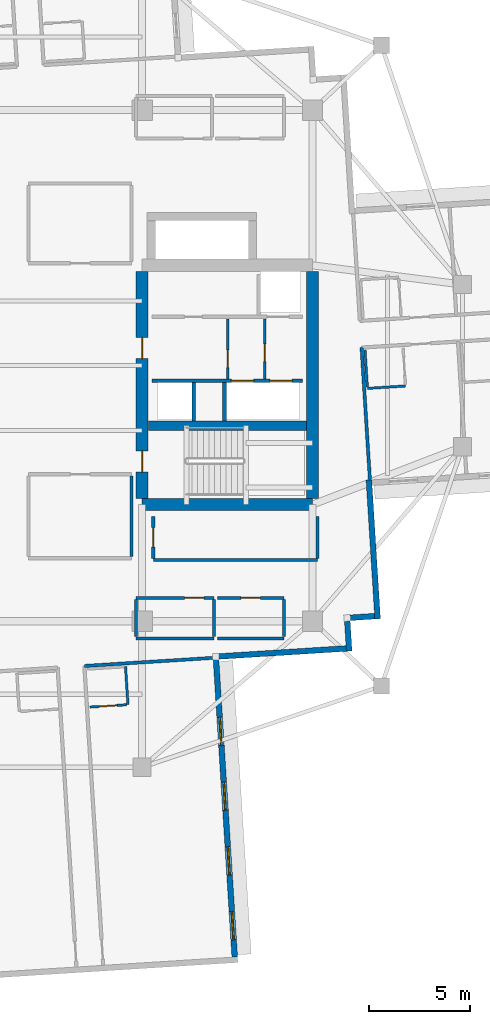
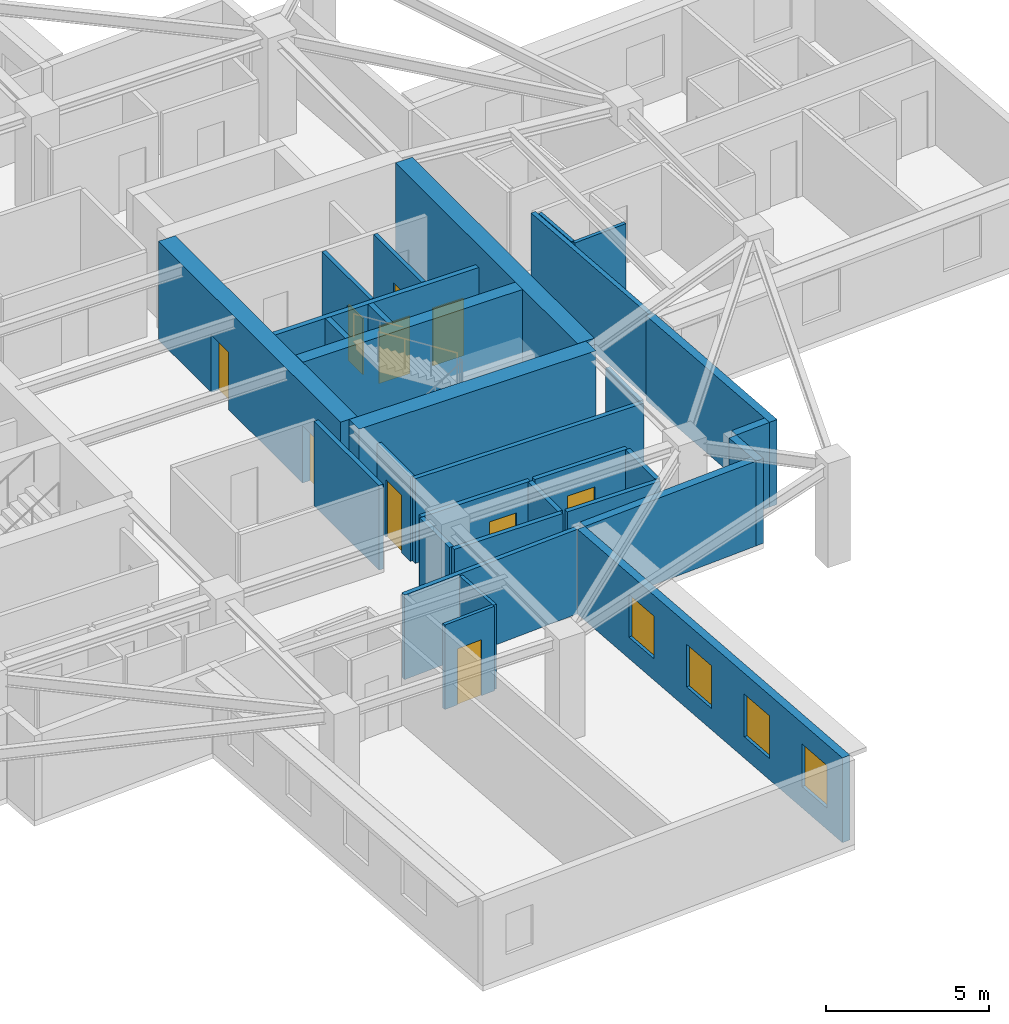
# One storey, part 5 of 13: 31 walls, 10 doors, 4 windows, 14 openings.
"""IFC4 building model written with IfcOpenShell, lengths in metres."""

from ifc_helpers import new_model, si_unit, direction, frame, frame_2d, origin, place, context, subcontext, project, spatial, rectangle, extrude, material, layer, layer_set, type_object, element, fill, save


model = new_model("IFC4")

# Units and contexts
model_context = context("Model", 3, precision=1e-05, world=origin(), true_north=direction((0.0, 1.0)))
body_context = subcontext(model_context, "Body", "Model", "MODEL_VIEW")
ifc_project = project(units=[si_unit("LENGTHUNIT", "METRE"), si_unit("AREAUNIT", "SQUARE_METRE"), si_unit("VOLUMEUNIT", "CUBIC_METRE"), si_unit("PLANEANGLEUNIT", "RADIAN"), si_unit("MASSUNIT", "GRAM", prefix="KILO")], contexts=[model_context])

# Site, building, storey
site_placement = place(None, origin())
site = spatial("IfcSite", under=ifc_project, at=site_placement, CompositionType="ELEMENT")
building_placement = place(site_placement, origin())
building = spatial("IfcBuilding", under=site, at=building_placement, Name="Qingluan Cross Belvedere", CompositionType="ELEMENT")
storey_placement = place(building_placement, frame((0.0, 0.0, 201.300048828125)))
storey = spatial("IfcBuildingStorey", under=building, at=storey_placement, Name="L50", CompositionType="ELEMENT", Elevation=201.300048828125)

# Walls
ifc_material_1 = material(Name="Concrete C50", Category="concrete")
ifc_layer_1 = layer(ifc_material_1, 0.449951171875, Name="CoreShearWall_450")
ifc_layer_set_1 = layer_set([ifc_layer_1], Name="Concrete C50")
wall_type_1 = type_object("IfcWallType", Name="CoreShearWall_450", PredefinedType="SHEAR", material=ifc_layer_set_1)
wall_1_placement = place(storey_placement, frame((4.304931640625, -2.9599609375, 0.0), z_axis=(0.0, 0.0, 1.0), x_axis=(1.0, 0.0, 0.0)))
element("IfcWall", 1, at=wall_1_placement, inside=storey, type_object=wall_type_1, Name="Split core E shear wall L50-M", PredefinedType="SHEAR", context=body_context, shape_type="SweptSolid", body=[
    extrude(rectangle(XDim=7.7900390625, YDim=0.449951171875, at=frame_2d((3.89501953125, 0.0))), origin(), (0.0, 0.0, 1.0), 3.699951171875),
])
ifc_material_2 = material(Name="Concrete C60", Category="concrete")
ifc_layer_2 = layer(ifc_material_2, 0.60009765625, Name="CoreShearWall_600")
ifc_layer_set_2 = layer_set([ifc_layer_2], Name="Concrete C60")
wall_type_2 = type_object("IfcWallType", Name="CoreShearWall_600", PredefinedType="SHEAR", material=ifc_layer_set_2)
wall_2_placement = place(storey_placement, frame((4.0, -6.85009765625, 0.0), z_axis=(0.0, 0.0, 1.0), x_axis=(1.0, 0.0, 0.0)))
element("IfcWall", 2, at=wall_2_placement, inside=storey, type_object=wall_type_2, Name="Split core E shear wall L50-S", PredefinedType="SHEAR", context=body_context, shape_type="SweptSolid", body=[
    extrude(rectangle(XDim=8.39990234375, YDim=0.60009765625, at=frame_2d((4.199951171875, 0.0))), origin(), (0.0, 0.0, 1.0), 3.699951171875),
])

# Wall, openings, doors
wall_3_placement = place(storey_placement, frame((4.0, -6.544921875, 0.0), z_axis=(0.0, 0.0, 1.0), x_axis=(0.0, 1.0, 0.0)))
wall_3 = element("IfcWall", 3, at=wall_3_placement, inside=storey, type_object=wall_type_2, Name="Split core E shear wall L50-W", PredefinedType="SHEAR", context=body_context, shape_type="SweptSolid", body=[
    extrude(rectangle(XDim=11.18994140625, YDim=0.60009765625, at=frame_2d((5.594970703125, 0.0))), origin(), (0.0, 0.0, 1.0), 3.699951171875),
])
opening_1_placement = place(wall_3_placement, frame((1.294921875, 0.0, 0.0)))
opening_1 = element("IfcOpeningElement", 4, at=opening_1_placement, cuts=wall_3, Name="Opening FD-B11", PredefinedType="OPENING", context=body_context, shape_type="SweptSolid", body=[
    extrude(rectangle(XDim=1.050048828125, YDim=2.14990234375, at=frame_2d((0.52490234375, 1.074951171875))), frame((0.0, 0.31005859375, 0.0), z_axis=(0.0, -1.0, 0.0), x_axis=(1.0, 0.0, 0.0)), (0.0, 0.0, 1.0), 0.6201171875),
])
opening_2_placement = place(wall_3_placement, frame((6.89501953125, 0.0, 0.0)))
opening_2 = element("IfcOpeningElement", 5, at=opening_2_placement, cuts=wall_3, Name="Opening FD-B11", PredefinedType="OPENING", context=body_context, shape_type="SweptSolid", body=[
    extrude(rectangle(XDim=1.050048828125, YDim=2.14990234375, at=frame_2d((0.52490234375, 1.074951171875))), frame((0.0, 0.31005859375, 0.0), z_axis=(0.0, -1.0, 0.0), x_axis=(1.0, 0.0, 0.0)), (0.0, 0.0, 1.0), 0.6201171875),
])
ifc_material_3 = material(Name="Steel Class B smoke-seal fire door", Category="steel")
door_type_1 = type_object("IfcDoorType", Name="StairLobbyFireDoor_FDB", OperationType="NOTDEFINED", PredefinedType="DOOR", material=ifc_material_3)
door_1_placement = place(opening_1_placement, origin())
door_1 = element("IfcDoor", 6, at=door_1_placement, inside=storey, type_object=door_type_1, Name="Smoke-proof stair ST2 fire door L50", OperationType="SINGLE_SWING_LEFT", OverallHeight=2.14990234375, OverallWidth=1.050048828125, PredefinedType="DOOR", context=body_context, shape_type="SweptSolid", body=[
    extrude(rectangle(XDim=1.050048828125, YDim=2.14990234375, at=frame_2d((0.52490234375, 1.074951171875))), frame((0.0, 0.02490234375, 0.0), z_axis=(0.0, -1.0, 0.0), x_axis=(1.0, 0.0, 0.0)), (0.0, 0.0, 1.0), 0.050048828125),
])
fill(opening_1, door_1)
door_2_placement = place(opening_2_placement, origin())
door_2 = element("IfcDoor", 7, at=door_2_placement, inside=storey, type_object=door_type_1, Name="Firefighting lobby East fire door L50", OperationType="SINGLE_SWING_LEFT", OverallHeight=2.14990234375, OverallWidth=1.050048828125, PredefinedType="DOOR", context=body_context, shape_type="SweptSolid", body=[
    extrude(rectangle(XDim=1.050048828125, YDim=2.14990234375, at=frame_2d((0.52490234375, 1.074951171875))), frame((0.0, 0.02490234375, 0.0), z_axis=(0.0, -1.0, 0.0), x_axis=(1.0, 0.0, 0.0)), (0.0, 0.0, 1.0), 0.050048828125),
])
fill(opening_2, door_2)

# Wall
wall_4_placement = place(storey_placement, frame((12.39990234375, -6.544921875, 0.0), z_axis=(0.0, 0.0, 1.0), x_axis=(0.0, 1.0, 0.0)))
element("IfcWall", 8, at=wall_4_placement, inside=storey, type_object=wall_type_2, Name="Split core E shear wall L50-E", PredefinedType="SHEAR", context=body_context, shape_type="SweptSolid", body=[
    extrude(rectangle(XDim=11.18994140625, YDim=0.60009765625, at=frame_2d((5.594970703125, 0.0))), origin(), (0.0, 0.0, 1.0), 3.699951171875),
])

# Wall, opening, door
ifc_material_4 = material(Name="Gypsum plasterboard on steel stud acoustic partition", Category="steel")
ifc_layer_3 = layer(ifc_material_4, 0.159912109375, Name="CorridorPartition_160")
ifc_layer_set_3 = layer_set([ifc_layer_3], Name="Gypsum plasterboard on steel stud acoustic partition")
wall_type_3 = type_object("IfcWallType", Name="CorridorPartition_160", PredefinedType="PARTITIONING", material=ifc_layer_set_3)
wall_5_placement = place(storey_placement, frame((10.050048828125, -0.652099609375, 0.0), z_axis=(0.0, 0.0, 1.0), x_axis=(0.0, 1.0, 0.0)))
wall_5 = element("IfcWall", 9, at=wall_5_placement, inside=storey, type_object=wall_type_3, Name="Partition L50:ev", PredefinedType="PARTITIONING", context=body_context, shape_type="SweptSolid", body=[
    extrude(rectangle(XDim=2.962158203125, YDim=0.139892578125, at=frame_2d((1.48095703125, 0.0))), origin(), (0.0, 0.0, 1.0), 3.169921875),
])
opening_3_placement = place(wall_5_placement, frame((0.85009765625, 0.0, 0.0)))
opening_3 = element("IfcOpeningElement", 10, at=opening_3_placement, cuts=wall_5, Name="Opening FD-B10", PredefinedType="OPENING", context=body_context, shape_type="SweptSolid", body=[
    extrude(rectangle(XDim=0.8798828125, YDim=2.10009765625, at=frame_2d((0.43994140625, 1.050048828125))), frame((0.0, 0.079833984375, 0.0), z_axis=(0.0, -1.0, 0.0), x_axis=(1.0, 0.0, 0.0)), (0.0, 0.0, 1.0), 0.159912109375),
])
ifc_material_5 = material(Name="Steel Class B service fire door", Category="steel")
door_type_2 = type_object("IfcDoorType", Name="RiserServiceFireDoor_FDB", OperationType="NOTDEFINED", PredefinedType="DOOR", material=ifc_material_5)
door_3_placement = place(opening_3_placement, origin())
door_3 = element("IfcDoor", 11, at=door_3_placement, inside=storey, type_object=door_type_2, Name="Service closet inner door L50", OperationType="SINGLE_SWING_RIGHT", OverallHeight=2.10009765625, OverallWidth=0.8798828125, PredefinedType="DOOR", context=body_context, shape_type="SweptSolid", body=[
    extrude(rectangle(XDim=0.8798828125, YDim=2.10009765625, at=frame_2d((0.43994140625, 1.050048828125))), frame((0.0, 0.02490234375, 0.0), z_axis=(0.0, -1.0, 0.0), x_axis=(1.0, 0.0, 0.0)), (0.0, 0.0, 1.0), 0.050048828125),
])
fill(opening_3, door_3)

# Wall
wall_6_placement = place(storey_placement, frame((3.699951171875, -13.449951171875, 0.0), z_axis=(0.0, 0.0, 1.0), x_axis=(1.0, 0.0, 0.0)))
element("IfcWall", 12, at=wall_6_placement, inside=storey, type_object=wall_type_3, Name="Partition L50:q_se1:S", PredefinedType="PARTITIONING", context=body_context, shape_type="SweptSolid", body=[
    extrude(rectangle(XDim=3.85009765625, YDim=0.159912109375, at=frame_2d((1.925048828125, 0.0))), origin(), (0.0, 0.0, 1.0), 3.169921875),
])

# Wall, opening, door
wall_7_placement = place(storey_placement, frame((3.699951171875, -11.449951171875, 0.0), z_axis=(0.0, 0.0, 1.0), x_axis=(1.0, 0.0, 0.0)))
wall_7 = element("IfcWall", 13, at=wall_7_placement, inside=storey, type_object=wall_type_3, Name="Partition L50:q_se1:N", PredefinedType="PARTITIONING", context=body_context, shape_type="SweptSolid", body=[
    extrude(rectangle(XDim=3.85009765625, YDim=0.159912109375, at=frame_2d((1.925048828125, 0.0))), origin(), (0.0, 0.0, 1.0), 3.169921875),
])
opening_4_placement = place(wall_7_placement, frame((2.39501953125, 0.0, 0.0)))
opening_4 = element("IfcOpeningElement", 14, at=opening_4_placement, cuts=wall_7, Name="Opening GD-10", PredefinedType="OPENING", context=body_context, shape_type="SweptSolid", body=[
    extrude(rectangle(XDim=0.9599609375, YDim=2.14990234375, at=frame_2d((0.47998046875, 1.074951171875))), frame((0.0, 0.08984375, 0.0), z_axis=(0.0, -1.0, 0.0), x_axis=(1.0, 0.0, 0.0)), (0.0, 0.0, 1.0), 0.179931640625),
])
ifc_material_6 = material(Name="Timber oak fire-rated acoustic guestroom door", Category="wood")
door_type_3 = type_object("IfcDoorType", Name="GuestEntryDoor_FD60", OperationType="NOTDEFINED", PredefinedType="DOOR", material=ifc_material_6)
door_4_placement = place(opening_4_placement, origin())
door_4 = element("IfcDoor", 15, at=door_4_placement, inside=storey, type_object=door_type_3, Name="Champagne pantry L50 door", OperationType="SINGLE_SWING_RIGHT", OverallHeight=2.14990234375, OverallWidth=0.9599609375, PredefinedType="DOOR", context=body_context, shape_type="SweptSolid", body=[
    extrude(rectangle(XDim=0.9599609375, YDim=2.14990234375, at=frame_2d((0.47998046875, 1.074951171875))), frame((0.0, 0.02490234375, 0.0), z_axis=(0.0, -1.0, 0.0), x_axis=(1.0, 0.0, 0.0)), (0.0, 0.0, 1.0), 0.050048828125),
])
fill(opening_4, door_4)

# Walls
for number, where, z_axis, x_axis, name in (
    (16, (3.699951171875, -13.364990234375, 0.0), (0.0, 0.0, 1.0), (0.0, 1.0, 0.0), "Partition L50:q_se1:W"),
    (17, (7.550048828125, -13.364990234375, 0.0), (0.0, 0.0, 1.0), (0.0, 1.0, 0.0), "Partition L50:q_se1:E"),
):
    element("IfcWall", number, at=place(storey_placement, frame(where, z_axis=z_axis, x_axis=x_axis)), inside=storey, type_object=wall_type_3, Name=name, PredefinedType="PARTITIONING", context=body_context, shape_type="SweptSolid", body=[
        extrude(rectangle(XDim=1.830078125, YDim=0.159912109375, at=frame_2d((0.9150390625, 0.0))), origin(), (0.0, 0.0, 1.0), 3.169921875),
    ])
wall_8_placement = place(storey_placement, frame((7.7099609375, -13.449951171875, 0.0), z_axis=(0.0, 0.0, 1.0), x_axis=(1.0, 0.0, 0.0)))
element("IfcWall", 18, at=wall_8_placement, inside=storey, type_object=wall_type_3, Name="Partition L50:q_se2:S", PredefinedType="PARTITIONING", context=body_context, shape_type="SweptSolid", body=[
    extrude(rectangle(XDim=3.2900390625, YDim=0.159912109375, at=frame_2d((1.64501953125, 0.0))), origin(), (0.0, 0.0, 1.0), 3.169921875),
])

# Wall, opening, door
wall_9_placement = place(storey_placement, frame((7.7099609375, -11.449951171875, 0.0), z_axis=(0.0, 0.0, 1.0), x_axis=(1.0, 0.0, 0.0)))
wall_9 = element("IfcWall", 19, at=wall_9_placement, inside=storey, type_object=wall_type_3, Name="Partition L50:q_se2:N", PredefinedType="PARTITIONING", context=body_context, shape_type="SweptSolid", body=[
    extrude(rectangle(XDim=3.2900390625, YDim=0.159912109375, at=frame_2d((1.64501953125, 0.0))), origin(), (0.0, 0.0, 1.0), 3.169921875),
])
opening_5_placement = place(wall_9_placement, frame((1.1650390625, 0.0, 0.0)))
opening_5 = element("IfcOpeningElement", 20, at=opening_5_placement, cuts=wall_9, Name="Opening GD-10", PredefinedType="OPENING", context=body_context, shape_type="SweptSolid", body=[
    extrude(rectangle(XDim=0.9599609375, YDim=2.14990234375, at=frame_2d((0.47998046875, 1.074951171875))), frame((0.0, 0.08984375, 0.0), z_axis=(0.0, -1.0, 0.0), x_axis=(1.0, 0.0, 0.0)), (0.0, 0.0, 1.0), 0.179931640625),
])
door_5_placement = place(opening_5_placement, origin())
door_5 = element("IfcDoor", 21, at=door_5_placement, inside=storey, type_object=door_type_3, Name="Southeast study room L50 door", OperationType="SINGLE_SWING_LEFT", OverallHeight=2.14990234375, OverallWidth=0.9599609375, PredefinedType="DOOR", context=body_context, shape_type="SweptSolid", body=[
    extrude(rectangle(XDim=0.9599609375, YDim=2.14990234375, at=frame_2d((0.47998046875, 1.074951171875))), frame((0.0, 0.02490234375, 0.0), z_axis=(0.0, -1.0, 0.0), x_axis=(1.0, 0.0, 0.0)), (0.0, 0.0, 1.0), 0.050048828125),
])
fill(opening_5, door_5)

# Walls
wall_10_placement = place(storey_placement, frame((11.0, -13.364990234375, 0.0), z_axis=(0.0, 0.0, 1.0), x_axis=(0.0, 1.0, 0.0)))
element("IfcWall", 22, at=wall_10_placement, inside=storey, type_object=wall_type_3, Name="Partition L50:q_se2:E", PredefinedType="PARTITIONING", context=body_context, shape_type="SweptSolid", body=[
    extrude(rectangle(XDim=1.830078125, YDim=0.159912109375, at=frame_2d((0.9150390625, 0.0))), origin(), (0.0, 0.0, 1.0), 3.169921875),
])
wall_11_placement = place(storey_placement, frame((3.47998046875, -9.4150390625, 0.0), z_axis=(0.0, 0.0, 1.0), x_axis=(0.0, 1.0, 0.0)))
element("IfcWall", 23, at=wall_11_placement, inside=storey, type_object=wall_type_3, Name="Partition L50:sky_south_alcove:E", PredefinedType="PARTITIONING", context=body_context, shape_type="SweptSolid", body=[
    extrude(rectangle(XDim=3.97998046875, YDim=0.159912109375, at=frame_2d((1.989990234375, 0.0))), origin(), (0.0, 0.0, 1.0), 3.169921875),
])
wall_12_placement = place(storey_placement, frame((4.550048828125, -9.580078125, 0.0), z_axis=(0.0, 0.0, 1.0), x_axis=(1.0, 0.0, 0.0)))
element("IfcWall", 24, at=wall_12_placement, inside=storey, type_object=wall_type_3, Name="Partition L50:rec_st4:S", PredefinedType="PARTITIONING", context=body_context, shape_type="SweptSolid", body=[
    extrude(rectangle(XDim=8.099853515625, YDim=0.159912109375, at=frame_2d((4.0498046875, 0.0))), origin(), (0.0, 0.0, 1.0), 3.169921875),
])

# Wall, opening, door
wall_13_placement = place(storey_placement, frame((4.550048828125, -9.4951171875, 0.0), z_axis=(0.0, 0.0, 1.0), x_axis=(0.0, 1.0, 0.0)))
wall_13 = element("IfcWall", 25, at=wall_13_placement, inside=storey, type_object=wall_type_3, Name="Partition L50:rec_st4:W", PredefinedType="PARTITIONING", context=body_context, shape_type="SweptSolid", body=[
    extrude(rectangle(XDim=2.06005859375, YDim=0.159912109375, at=frame_2d((1.030029296875, 0.0))), origin(), (0.0, 0.0, 1.0), 3.169921875),
])
opening_6_placement = place(wall_13_placement, frame((0.550048828125, 0.0, 0.0)))
opening_6 = element("IfcOpeningElement", 26, at=opening_6_placement, cuts=wall_13, Name="Opening GD-10", PredefinedType="OPENING", context=body_context, shape_type="SweptSolid", body=[
    extrude(rectangle(XDim=0.9599609375, YDim=2.14990234375, at=frame_2d((0.47998046875, 1.074951171875))), frame((0.0, 0.08984375, 0.0), z_axis=(0.0, -1.0, 0.0), x_axis=(1.0, 0.0, 0.0)), (0.0, 0.0, 1.0), 0.179931640625),
])
door_6_placement = place(opening_6_placement, origin())
door_6 = element("IfcDoor", 27, at=door_6_placement, inside=storey, type_object=door_type_3, Name="Southeast club library room L50 door", OperationType="SINGLE_SWING_LEFT", OverallHeight=2.14990234375, OverallWidth=0.9599609375, PredefinedType="DOOR", context=body_context, shape_type="SweptSolid", body=[
    extrude(rectangle(XDim=0.9599609375, YDim=2.14990234375, at=frame_2d((0.47998046875, 1.074951171875))), frame((0.0, 0.02490234375, 0.0), z_axis=(0.0, -1.0, 0.0), x_axis=(1.0, 0.0, 0.0)), (0.0, 0.0, 1.0), 0.050048828125),
])
fill(opening_6, door_6)

# Walls
wall_14_placement = place(storey_placement, frame((12.64990234375, -9.4951171875, 0.0), z_axis=(0.0, 0.0, 1.0), x_axis=(0.0, 1.0, 0.0)))
element("IfcWall", 28, at=wall_14_placement, inside=storey, type_object=wall_type_3, Name="Partition L50:rec_st4:E", PredefinedType="PARTITIONING", context=body_context, shape_type="SweptSolid", body=[
    extrude(rectangle(XDim=2.06005859375, YDim=0.159912109375, at=frame_2d((1.030029296875, 0.0))), origin(), (0.0, 0.0, 1.0), 3.169921875),
])
wall_15_placement = place(storey_placement, frame((14.8232421875, 0.892578125, 0.0), z_axis=(0.0, 0.0, 1.0), x_axis=(0.062790133862, -0.998026752692, 0.0)))
element("IfcWall", 29, at=wall_15_placement, inside=storey, type_object=wall_type_3, Name="Partition L50:E:s1", PredefinedType="PARTITIONING", context=body_context, shape_type="SweptSolid", body=[
    extrude(rectangle(XDim=6.5322265625, YDim=0.159912109375, at=frame_2d((3.26611328125, 0.0))), origin(), (0.0, 0.0, 1.0), 3.169921875),
])
wall_16_placement = place(storey_placement, frame((1.152099609375, -14.806884765625, 0.0), z_axis=(0.0, 0.0, 1.0), x_axis=(0.998026035463, 0.062801532923, 0.0)))
element("IfcWall", 30, at=wall_16_placement, inside=storey, type_object=wall_type_3, Name="Partition L50:S:s0", PredefinedType="PARTITIONING", context=body_context, shape_type="SweptSolid", body=[
    extrude(rectangle(XDim=6.5, YDim=0.159912109375, at=frame_2d((3.25, 0.0))), origin(), (0.0, 0.0, 1.0), 3.169921875),
])
ifc_material_7 = material(Name="Moisture-resistant gypsum board lining")
ifc_layer_4 = layer(ifc_material_7, 0.1201171875, Name="EnsuiteWetPartition_120")
ifc_layer_set_4 = layer_set([ifc_layer_4], Name="Moisture-resistant gypsum board lining")
wall_type_4 = type_object("IfcWallType", Name="EnsuiteWetPartition_120", PredefinedType="PARTITIONING", material=ifc_layer_set_4)
wall_17_placement = place(storey_placement, frame((15.10595703125, -1.0537109375, 0.0), z_axis=(0.0, 0.0, 1.0), x_axis=(-0.062779145668, 0.998027443946, 0.0)))
element("IfcWall", 31, at=wall_17_placement, inside=storey, type_object=wall_type_4, Name="Partition L50:E:bw1_0", PredefinedType="PARTITIONING", context=body_context, shape_type="SweptSolid", body=[
    extrude(rectangle(XDim=1.820068359375, YDim=0.1201171875, at=frame_2d((0.91015625, 0.0))), origin(), (0.0, 0.0, 1.0), 3.169921875),
])
wall_18_placement = place(storey_placement, frame((15.110107421875, -1.118408203125, 0.0), z_axis=(0.0, 0.0, 1.0), x_axis=(0.998030789148, 0.062725942896, 0.0)))
element("IfcWall", 32, at=wall_18_placement, inside=storey, type_object=wall_type_4, Name="Partition L50:E:bc1_0", PredefinedType="PARTITIONING", context=body_context, shape_type="SweptSolid", body=[
    extrude(rectangle(XDim=1.8798828125, YDim=0.1201171875, at=frame_2d((0.93994140625, 0.0))), origin(), (0.0, 0.0, 1.0), 3.169921875),
])

# Wall, opening, door
wall_19_placement = place(storey_placement, frame((1.419921875, -16.833984375, 0.0), z_axis=(0.0, 0.0, 1.0), x_axis=(0.998026915151, 0.062787551592, 0.0)))
wall_19 = element("IfcWall", 33, at=wall_19_placement, inside=storey, type_object=wall_type_4, Name="Partition L50:S:bs0_0", PredefinedType="PARTITIONING", context=body_context, shape_type="SweptSolid", body=[
    extrude(rectangle(XDim=1.81982421875, YDim=0.1201171875, at=frame_2d((0.909912109375, 0.0))), origin(), (0.0, 0.0, 1.0), 3.169921875),
])
opening_7_placement = place(wall_19_placement, frame((0.469970703125, 0.0, 0.0)))
opening_7 = element("IfcOpeningElement", 34, at=opening_7_placement, cuts=wall_19, Name="Opening BD-09", PredefinedType="OPENING", context=body_context, shape_type="SweptSolid", body=[
    extrude(rectangle(XDim=0.8798828125, YDim=2.10009765625, at=frame_2d((0.43994140625, 1.050048828125))), frame((0.0, 0.070068359375, 0.0), z_axis=(0.0, -1.0, 0.0), x_axis=(1.0, 0.0, 0.0)), (0.0, 0.0, 1.0), 0.14013671875),
])
ifc_material_8 = material(Name="Moisture-sealed timber en-suite door", Category="wood")
door_type_4 = type_object("IfcDoorType", Name="BathroomDoor_880", OperationType="NOTDEFINED", PredefinedType="DOOR", material=ifc_material_8)
door_7_placement = place(opening_7_placement, origin())
door_7 = element("IfcDoor", 35, at=door_7_placement, inside=storey, type_object=door_type_4, Name="Bathroom door 5017", OperationType="SINGLE_SWING_RIGHT", OverallHeight=2.10009765625, OverallWidth=0.8798828125, PredefinedType="DOOR", context=body_context, shape_type="SweptSolid", body=[
    extrude(rectangle(XDim=0.8798828125, YDim=2.10009765625, at=frame_2d((0.43994140625, 1.050048828125))), frame((0.0, 0.02490234375, 0.0), z_axis=(0.0, -1.0, 0.0), x_axis=(1.0, 0.0, 0.0)), (0.0, 0.0, 1.0), 0.050048828125),
])
fill(opening_7, door_7)

# Wall
wall_20_placement = place(storey_placement, frame((3.18310546875, -14.83935546875, 0.0), z_axis=(0.0, 0.0, 1.0), x_axis=(0.062717813936, -0.998031300018, 0.0)))
element("IfcWall", 36, at=wall_20_placement, inside=storey, type_object=wall_type_4, Name="Partition L50:S:bn0_0", PredefinedType="PARTITIONING", context=body_context, shape_type="SweptSolid", body=[
    extrude(rectangle(XDim=1.880126953125, YDim=0.1201171875, at=frame_2d((0.93994140625, 0.0))), origin(), (0.0, 0.0, 1.0), 3.169921875),
])

# Wall, openings, windows
ifc_material_9 = material(Name="Precast concrete C45", Category="concrete")
ifc_layer_5 = layer(ifc_material_9, 0.280029296875, Name="PrecastFacadeWall_280")
ifc_layer_set_5 = layer_set([ifc_layer_5], Name="Precast concrete C45")
wall_type_5 = type_object("IfcWallType", Name="PrecastFacadeWall_280", PredefinedType="STANDARD", material=ifc_layer_set_5)
wall_21_placement = place(storey_placement, frame((8.56787109375, -29.15966796875, 0.0), z_axis=(0.0, 0.0, 1.0), x_axis=(-0.062794967833, 0.998026448555, 0.0)))
wall_21 = element("IfcWall", 37, at=wall_21_placement, inside=storey, type_object=wall_type_5, Name="Facade wall L50-SB", PredefinedType="STANDARD", context=body_context, shape_type="SweptSolid", body=[
    extrude(rectangle(XDim=14.7001953125, YDim=0.280029296875, at=frame_2d((7.35009765625, 0.0))), origin(), (0.0, 0.0, 1.0), 3.179931640625),
])
opening_8_placement = place(wall_21_placement, frame((0.85009765625, 0.0, 0.800048828125)))
opening_8 = element("IfcOpeningElement", 38, at=opening_8_placement, cuts=wall_21, Name="Opening W-01", PredefinedType="OPENING", context=body_context, shape_type="SweptSolid", body=[
    extrude(rectangle(XDim=1.39990234375, YDim=1.60009765625, at=frame_2d((0.699951171875, 0.800048828125))), frame((0.0, 0.14990234375, 0.0), z_axis=(0.0, -1.0, 0.0), x_axis=(1.0, 0.0, 0.0)), (0.0, 0.0, 1.0), 0.300048828125),
])
opening_9_placement = place(wall_21_placement, frame((4.050048828125, 0.0, 0.800048828125)))
opening_9 = element("IfcOpeningElement", 39, at=opening_9_placement, cuts=wall_21, Name="Opening W-01", PredefinedType="OPENING", context=body_context, shape_type="SweptSolid", body=[
    extrude(rectangle(XDim=1.39990234375, YDim=1.60009765625, at=frame_2d((0.699951171875, 0.800048828125))), frame((0.0, 0.14990234375, 0.0), z_axis=(0.0, -1.0, 0.0), x_axis=(1.0, 0.0, 0.0)), (0.0, 0.0, 1.0), 0.300048828125),
])
opening_10_placement = place(wall_21_placement, frame((7.25, 0.0, 0.800048828125)))
opening_10 = element("IfcOpeningElement", 40, at=opening_10_placement, cuts=wall_21, Name="Opening W-01", PredefinedType="OPENING", context=body_context, shape_type="SweptSolid", body=[
    extrude(rectangle(XDim=1.39990234375, YDim=1.60009765625, at=frame_2d((0.699951171875, 0.800048828125))), frame((0.0, 0.14990234375, 0.0), z_axis=(0.0, -1.0, 0.0), x_axis=(1.0, 0.0, 0.0)), (0.0, 0.0, 1.0), 0.300048828125),
])
opening_11_placement = place(wall_21_placement, frame((10.449951171875, 0.0, 0.800048828125)))
opening_11 = element("IfcOpeningElement", 41, at=opening_11_placement, cuts=wall_21, Name="Opening W-01", PredefinedType="OPENING", context=body_context, shape_type="SweptSolid", body=[
    extrude(rectangle(XDim=1.39990234375, YDim=1.60009765625, at=frame_2d((0.699951171875, 0.800048828125))), frame((0.0, 0.14990234375, 0.0), z_axis=(0.0, -1.0, 0.0), x_axis=(1.0, 0.0, 0.0)), (0.0, 0.0, 1.0), 0.300048828125),
])
ifc_material_10 = material(Name="Thermally broken triple Low-E glass in aluminium frame", Category="aluminium")
window_type = type_object("IfcWindowType", Name="TriRibbonWin_1400x1600", PartitioningType="SINGLE_PANEL", PredefinedType="WINDOW", material=ifc_material_10)
window_1_placement = place(opening_8_placement, origin())
window_1 = element("IfcWindow", 42, at=window_1_placement, inside=storey, type_object=window_type, Name="Ribbon window L50-SB-1", OverallHeight=1.60009765625, OverallWidth=1.39990234375, PartitioningType="SINGLE_PANEL", PredefinedType="WINDOW", context=body_context, shape_type="SweptSolid", body=[
    extrude(rectangle(XDim=1.39990234375, YDim=1.60009765625, at=frame_2d((0.699951171875, 0.800048828125))), frame((0.0, 0.030029296875, 0.0), z_axis=(0.0, -1.0, 0.0), x_axis=(1.0, 0.0, 0.0)), (0.0, 0.0, 1.0), 0.06005859375),
])
fill(opening_8, window_1)
window_2_placement = place(opening_9_placement, origin())
window_2 = element("IfcWindow", 43, at=window_2_placement, inside=storey, type_object=window_type, Name="Ribbon window L50-SB-2", OverallHeight=1.60009765625, OverallWidth=1.39990234375, PartitioningType="SINGLE_PANEL", PredefinedType="WINDOW", context=body_context, shape_type="SweptSolid", body=[
    extrude(rectangle(XDim=1.39990234375, YDim=1.60009765625, at=frame_2d((0.699951171875, 0.800048828125))), frame((0.0, 0.030029296875, 0.0), z_axis=(0.0, -1.0, 0.0), x_axis=(1.0, 0.0, 0.0)), (0.0, 0.0, 1.0), 0.06005859375),
])
fill(opening_9, window_2)
window_3_placement = place(opening_10_placement, origin())
window_3 = element("IfcWindow", 44, at=window_3_placement, inside=storey, type_object=window_type, Name="Ribbon window L50-SB-3", OverallHeight=1.60009765625, OverallWidth=1.39990234375, PartitioningType="SINGLE_PANEL", PredefinedType="WINDOW", context=body_context, shape_type="SweptSolid", body=[
    extrude(rectangle(XDim=1.39990234375, YDim=1.60009765625, at=frame_2d((0.699951171875, 0.800048828125))), frame((0.0, 0.030029296875, 0.0), z_axis=(0.0, -1.0, 0.0), x_axis=(1.0, 0.0, 0.0)), (0.0, 0.0, 1.0), 0.06005859375),
])
fill(opening_10, window_3)
window_4_placement = place(opening_11_placement, origin())
window_4 = element("IfcWindow", 45, at=window_4_placement, inside=storey, type_object=window_type, Name="Ribbon window L50-SB-4", OverallHeight=1.60009765625, OverallWidth=1.39990234375, PartitioningType="SINGLE_PANEL", PredefinedType="WINDOW", context=body_context, shape_type="SweptSolid", body=[
    extrude(rectangle(XDim=1.39990234375, YDim=1.60009765625, at=frame_2d((0.699951171875, 0.800048828125))), frame((0.0, 0.030029296875, 0.0), z_axis=(0.0, -1.0, 0.0), x_axis=(1.0, 0.0, 0.0)), (0.0, 0.0, 1.0), 0.06005859375),
])
fill(opening_11, window_4)

# Walls
wall_22_placement = place(storey_placement, frame((15.18408203125, -5.6376953125, 0.0), z_axis=(0.0, 0.0, 1.0), x_axis=(0.062779317195, -0.998027433156, 0.0)))
element("IfcWall", 46, at=wall_22_placement, inside=storey, type_object=wall_type_5, Name="Corner wall L50-SE1", PredefinedType="STANDARD", context=body_context, shape_type="SweptSolid", body=[
    extrude(rectangle(XDim=6.85986328125, YDim=0.280029296875, at=frame_2d((3.429931640625, 0.0))), origin(), (0.0, 0.0, 1.0), 3.179931640625),
])
wall_23_placement = place(storey_placement, frame((15.46630859375, -12.353271484375, 0.0), z_axis=(0.0, 0.0, 1.0), x_axis=(-0.998024450254, -0.062826719603, 0.0)))
element("IfcWall", 47, at=wall_23_placement, inside=storey, type_object=wall_type_5, Name="Corner wall L50-SE2", PredefinedType="STANDARD", context=body_context, shape_type="SweptSolid", body=[
    extrude(rectangle(XDim=1.22021484375, YDim=0.280029296875, at=frame_2d((0.610107421875, 0.0))), origin(), (0.0, 0.0, 1.0), 3.179931640625),
])
wall_24_placement = place(storey_placement, frame((14.11767578125, -12.578369140625, 0.0), z_axis=(0.0, 0.0, 1.0), x_axis=(0.062824119533, -0.998024613927, 0.0)))
element("IfcWall", 48, at=wall_24_placement, inside=storey, type_object=wall_type_5, Name="Corner wall L50-SE3", PredefinedType="STANDARD", context=body_context, shape_type="SweptSolid", body=[
    extrude(rectangle(XDim=1.5, YDim=0.280029296875, at=frame_2d((0.75, 0.0))), origin(), (0.0, 0.0, 1.0), 3.179931640625),
])
wall_25_placement = place(storey_placement, frame((14.063232421875, -13.944580078125, 0.0), z_axis=(0.0, 0.0, 1.0), x_axis=(-0.998027314704, -0.062781200242, 0.0)))
element("IfcWall", 49, at=wall_25_placement, inside=storey, type_object=wall_type_5, Name="Corner wall L50-SE4", PredefinedType="STANDARD", context=body_context, shape_type="SweptSolid", body=[
    extrude(rectangle(XDim=6.2998046875, YDim=0.280029296875, at=frame_2d((3.14990234375, 0.0))), origin(), (0.0, 0.0, 1.0), 3.179931640625),
])

# Wall, openings, doors
ifc_material_11 = material(Name="Concrete C40", Category="concrete")
ifc_layer_6 = layer(ifc_material_11, 0.219970703125, Name="ShaftEnclosureWall_250")
ifc_layer_set_6 = layer_set([ifc_layer_6], Name="Concrete C40")
wall_type_6 = type_object("IfcWallType", Name="ShaftEnclosureWall_250", PredefinedType="SOLIDWALL", material=ifc_layer_set_6)
wall_26_placement = place(storey_placement, frame((4.47998046875, -0.75, 0.0), z_axis=(0.0, 0.0, 1.0), x_axis=(1.0, 0.0, 0.0)))
wall_26 = element("IfcWall", 50, at=wall_26_placement, inside=storey, type_object=wall_type_6, Name="Core-E mid hoistway wall L50", PredefinedType="SOLIDWALL", context=body_context, shape_type="SweptSolid", body=[
    extrude(rectangle(XDim=7.419921875, YDim=0.179931640625, at=frame_2d((3.7099609375, 0.0))), origin(), (0.0, 0.0, 1.0), 3.169921875),
])
opening_12_placement = place(wall_26_placement, frame((3.919921875, 0.0, 0.0)))
opening_12 = element("IfcOpeningElement", 51, at=opening_12_placement, cuts=wall_26, Name="Opening LD-11", PredefinedType="OPENING", context=body_context, shape_type="SweptSolid", body=[
    extrude(rectangle(XDim=1.10009765625, YDim=2.14990234375, at=frame_2d((0.550048828125, 1.074951171875))), frame((0.0, 0.099853515625, 0.0), z_axis=(0.0, -1.0, 0.0), x_axis=(1.0, 0.0, 0.0)), (0.0, 0.0, 1.0), 0.199951171875),
])
opening_13_placement = place(wall_26_placement, frame((5.820068359375, 0.0, 0.0)))
opening_13 = element("IfcOpeningElement", 52, at=opening_13_placement, cuts=wall_26, Name="Opening LD-11", PredefinedType="OPENING", context=body_context, shape_type="SweptSolid", body=[
    extrude(rectangle(XDim=1.10009765625, YDim=2.14990234375, at=frame_2d((0.550048828125, 1.074951171875))), frame((0.0, 0.099853515625, 0.0), z_axis=(0.0, -1.0, 0.0), x_axis=(1.0, 0.0, 0.0)), (0.0, 0.0, 1.0), 0.199951171875),
])
ifc_material_12 = material(Name="Brushed stainless steel centre-opening lift landing door", Category="steel")
door_type_5 = type_object("IfcDoorType", Name="LiftLandingSlidingDoor_1100", OperationType="DOUBLE_DOOR_SLIDING", PredefinedType="DOOR", material=ifc_material_12)
door_8_placement = place(opening_12_placement, origin())
door_8 = element("IfcDoor", 53, at=door_8_placement, inside=storey, type_object=door_type_5, Name="Lift landing sliding door LP9 L50", OperationType="DOUBLE_DOOR_SLIDING", OverallHeight=2.14990234375, OverallWidth=1.10009765625, PredefinedType="DOOR", context=body_context, shape_type="SweptSolid", body=[
    extrude(rectangle(XDim=1.10009765625, YDim=2.14990234375, at=frame_2d((0.550048828125, 1.074951171875))), frame((0.0, 0.02490234375, 0.0), z_axis=(0.0, -1.0, 0.0), x_axis=(1.0, 0.0, 0.0)), (0.0, 0.0, 1.0), 0.050048828125),
])
fill(opening_12, door_8)
door_9_placement = place(opening_13_placement, origin())
door_9 = element("IfcDoor", 54, at=door_9_placement, inside=storey, type_object=door_type_5, Name="Lift landing sliding door LP10 L50", OperationType="DOUBLE_DOOR_SLIDING", OverallHeight=2.14990234375, OverallWidth=1.10009765625, PredefinedType="DOOR", context=body_context, shape_type="SweptSolid", body=[
    extrude(rectangle(XDim=1.10009765625, YDim=2.14990234375, at=frame_2d((0.550048828125, 1.074951171875))), frame((0.0, 0.02490234375, 0.0), z_axis=(0.0, -1.0, 0.0), x_axis=(1.0, 0.0, 0.0)), (0.0, 0.0, 1.0), 0.050048828125),
])
fill(opening_13, door_9)

# Walls
for number, where, z_axis, x_axis, name in (
    (55, (6.5400390625, -2.72998046875, 0.0), (0.0, 0.0, 1.0), (0.0, 1.0, 0.0), "Hoistway enclosure divider LP7E L50"),
    (56, (8.06005859375, -2.72998046875, 0.0), (0.0, 0.0, 1.0), (0.0, 1.0, 0.0), "Hoistway enclosure divider LP9W L50"),
):
    element("IfcWall", number, at=place(storey_placement, frame(where, z_axis=z_axis, x_axis=x_axis)), inside=storey, type_object=wall_type_6, Name=name, PredefinedType="SOLIDWALL", context=body_context, shape_type="SweptSolid", body=[
        extrude(rectangle(XDim=1.889892578125, YDim=0.179931640625, at=frame_2d((0.94482421875, 0.0))), origin(), (0.0, 0.0, 1.0), 3.169921875),
    ])

# Wall, opening, door
wall_27_placement = place(storey_placement, frame((8.219970703125, -0.64990234375, 0.0), z_axis=(0.0, 0.0, 1.0), x_axis=(0.0, 1.0, 0.0)))
wall_27 = element("IfcWall", 57, at=wall_27_placement, inside=storey, type_object=wall_type_6, Name="Core-E service corridor wall L50", PredefinedType="SOLIDWALL", context=body_context, shape_type="SweptSolid", body=[
    extrude(rectangle(XDim=2.9599609375, YDim=0.139892578125, at=frame_2d((1.47998046875, 0.0))), origin(), (0.0, 0.0, 1.0), 3.169921875),
])
opening_14_placement = place(wall_27_placement, frame((0.550048828125, 0.0, 0.0)))
opening_14 = element("IfcOpeningElement", 58, at=opening_14_placement, cuts=wall_27, Name="Opening FD-B10", PredefinedType="OPENING", context=body_context, shape_type="SweptSolid", body=[
    extrude(rectangle(XDim=0.8798828125, YDim=2.10009765625, at=frame_2d((0.43994140625, 1.050048828125))), frame((0.0, 0.079833984375, 0.0), z_axis=(0.0, -1.0, 0.0), x_axis=(1.0, 0.0, 0.0)), (0.0, 0.0, 1.0), 0.159912109375),
])
door_10_placement = place(opening_14_placement, origin())
door_10 = element("IfcDoor", 59, at=door_10_placement, inside=storey, type_object=door_type_2, Name="Core-E service room door L50", OperationType="SINGLE_SWING_RIGHT", OverallHeight=2.10009765625, OverallWidth=0.8798828125, PredefinedType="DOOR", context=body_context, shape_type="SweptSolid", body=[
    extrude(rectangle(XDim=0.8798828125, YDim=2.10009765625, at=frame_2d((0.43994140625, 1.050048828125))), frame((0.0, 0.02490234375, 0.0), z_axis=(0.0, -1.0, 0.0), x_axis=(1.0, 0.0, 0.0)), (0.0, 0.0, 1.0), 0.050048828125),
])
fill(opening_14, door_10)

save(model, "model.ifc")
